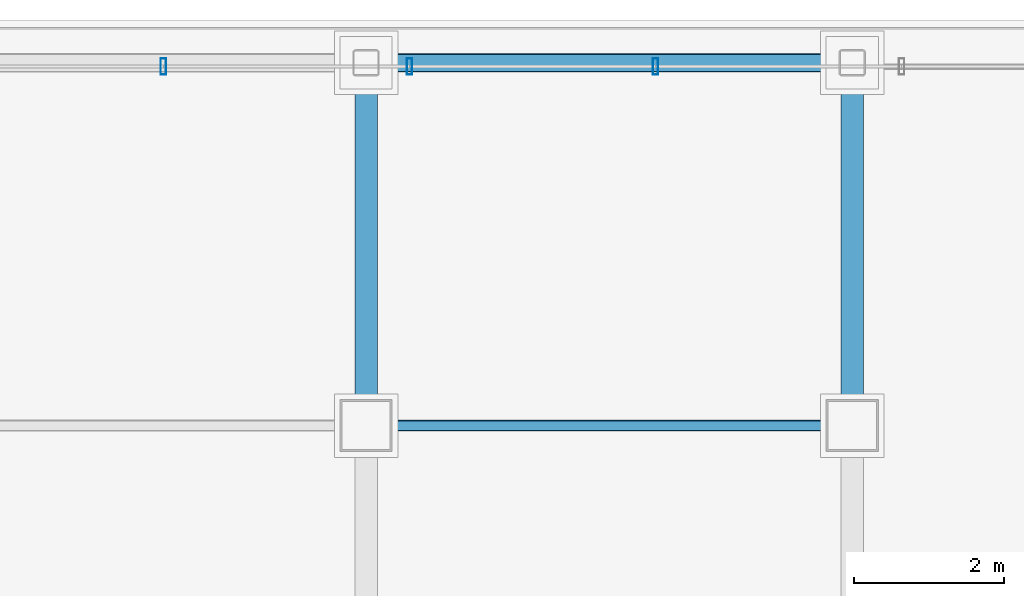
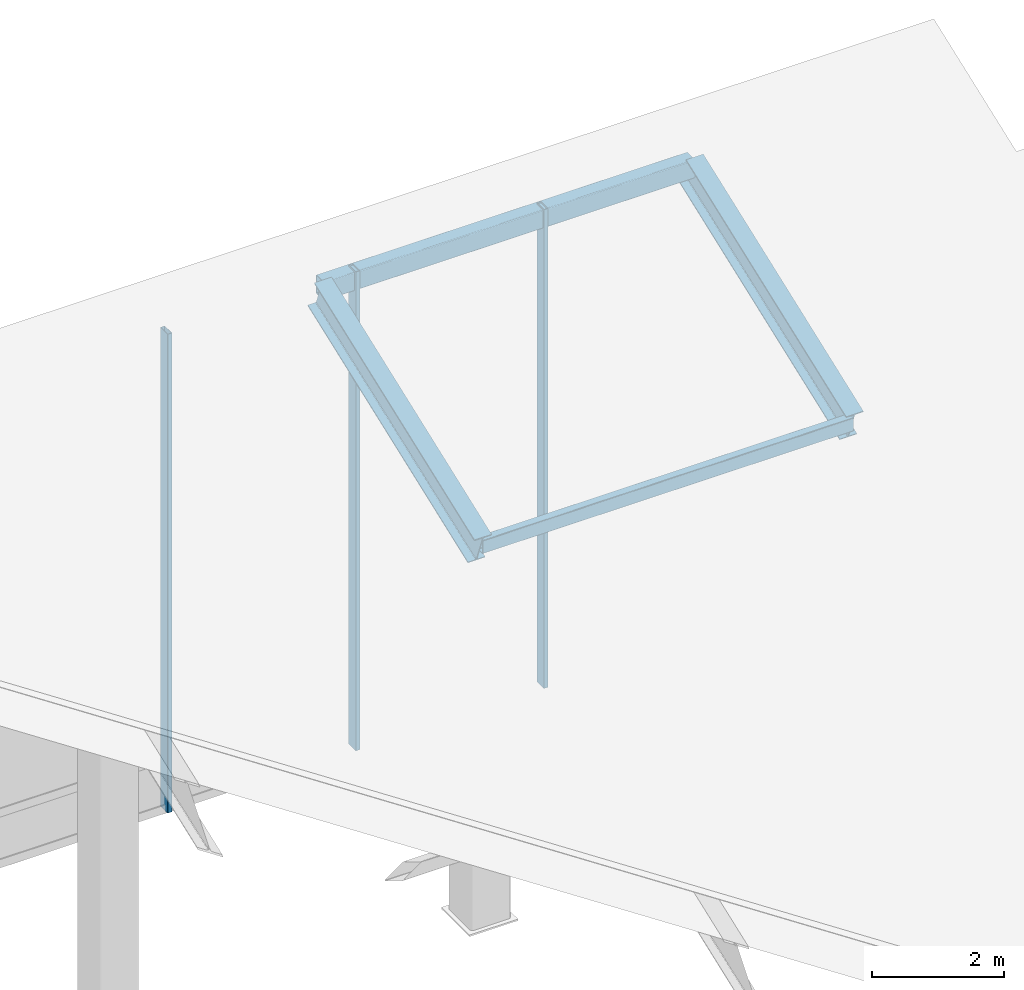
# One storey, part 9 of 12: 5 members, 2 beams, 1 element without a shape of its own.
"""IFC4 building model written with IfcOpenShell, lengths in metres."""

import ifcopenshell
import ifcopenshell.guid

model = None  # the IFC model being written
_history = None  # IfcOwnerHistory: only IFC2X3 demands one
_inside = {}  # id of a spatial element -> (the spatial element, [elements in it])
_under = {}  # id of a project, library or spatial element -> (it, [spatial elements below it])
_declared = {}  # id of a project -> (the project, [libraries it declares])
_typed = {}  # id of a type object -> (the type object, [elements of that type])
_made_of = {}  # id of a material, layer set ... -> (it, [elements and type objects made of it])


def new_model(schema):
    """Start an empty IFC model of exactly this schema.

    Asked for "IFC4X3", IfcOpenShell would pick the latest addendum, in which some entities
    have other attributes; the version numbers below select the first issue.
    IFC2X3 requires an IfcOwnerHistory on every rooted entity: one is made here for all.
    """
    global model, _history
    if schema == "IFC4X3":
        model = ifcopenshell.file(schema_version=(4, 3, 0, 0))
    else:
        model = ifcopenshell.file(schema=schema)
    _inside.clear()
    _under.clear()
    _declared.clear()
    _typed.clear()
    _made_of.clear()
    _history = None
    if model.schema == "IFC2X3":
        org = make("IfcOrganization", Name="unknown")
        user = make(
            "IfcPersonAndOrganization",
            ThePerson=make("IfcPerson", FamilyName="unknown"),
            TheOrganization=org,
        )
        app = make(
            "IfcApplication",
            ApplicationDeveloper=org,
            Version="unknown",
            ApplicationFullName="unknown",
            ApplicationIdentifier="unknown",
        )
        _history = make(
            "IfcOwnerHistory",
            OwningUser=user,
            OwningApplication=app,
            ChangeAction="ADDED",
            CreationDate=0,
        )
    return model


def make(cls, **values):
    """One entity of the class cls with the attributes given. An attribute that is None is left unset."""
    return model.create_entity(
        cls, **{name: value for name, value in values.items() if value is not None}
    )


def rooted(cls, **values):
    """An entity with a GlobalId (a new one), such as an element, a storey or a relation."""
    return make(cls, GlobalId=ifcopenshell.guid.new(), OwnerHistory=_history, **values)


def si_unit(unit_type, name, prefix=None):
    """IfcSIUnit, for example si_unit("LENGTHUNIT", "METRE", prefix="MILLI")."""
    return make("IfcSIUnit", UnitType=unit_type, Prefix=prefix, Name=name)


def assignment(units):
    """IfcUnitAssignment: the units of a project."""
    return None if units is None else make("IfcUnitAssignment", Units=units)


def point(xyz):
    """IfcCartesianPoint."""
    return None if xyz is None else make("IfcCartesianPoint", Coordinates=xyz)


def direction(xyz):
    """IfcDirection."""
    return None if xyz is None else make("IfcDirection", DirectionRatios=xyz)


def frame(location, z_axis=None, x_axis=None):
    """IfcAxis2Placement3D, a coordinate frame: its origin and axes. An axis left out is left unset."""
    return make(
        "IfcAxis2Placement3D",
        Location=point(location),
        Axis=direction(z_axis),
        RefDirection=direction(x_axis),
    )


def frame_2d(location, x_axis=None):
    """IfcAxis2Placement2D, a coordinate frame in the plane: its origin and x axis."""
    return make(
        "IfcAxis2Placement2D", Location=point(location), RefDirection=direction(x_axis)
    )


def origin():
    """The frame at (0, 0, 0) with its axes left unset."""
    return frame((0.0, 0.0, 0.0))


def origin_2d():
    """The frame at (0, 0) in the plane with its x axis left unset."""
    return frame_2d((0.0, 0.0))


def place(relative_to, where):
    """IfcLocalPlacement: puts the frame where relative to a parent placement (None: the world)."""
    return make(
        "IfcLocalPlacement", PlacementRelTo=relative_to, RelativePlacement=where
    )


def context(
    kind, dimensions, precision=None, world=None, true_north=None, identifier=None
):
    """IfcGeometricRepresentationContext, for example the 3D "Model" context."""
    return make(
        "IfcGeometricRepresentationContext",
        ContextIdentifier=identifier,
        ContextType=kind,
        CoordinateSpaceDimension=dimensions,
        Precision=precision,
        WorldCoordinateSystem=world,
        TrueNorth=true_north,
    )


def subcontext(parent, identifier, kind, view, scale=None):
    """IfcGeometricRepresentationSubContext, for example "Body" below "Model"."""
    return make(
        "IfcGeometricRepresentationSubContext",
        ContextIdentifier=identifier,
        ContextType=kind,
        ParentContext=parent,
        TargetScale=scale,
        TargetView=view,
    )


def project(units=None, contexts=None):
    """IfcProject with its units and contexts."""
    return rooted(
        "IfcProject",
        Name="project",
        RepresentationContexts=contexts,
        UnitsInContext=assignment(units),
    )


def spatial(cls, under=None, at=None, **own):
    """A site, building, storey or space (cls), placed at a placement, below another one or the project."""
    s = rooted(cls, ObjectPlacement=at, **own)
    if under is not None:
        _under.setdefault(under.id(), (under, []))[1].append(s)
    return s


def profile(cls, at=None, kind="AREA", **sizes):
    """A parametric profile (cls). Its sizes go by their IFC names, for example OverallWidth=200.0."""
    return make(cls, ProfileType=kind, Position=at, **sizes)


def hollow_rectangle(**sizes):
    """IfcRectangleHollowProfileDef."""
    return profile("IfcRectangleHollowProfileDef", **sizes)


def i_section(**sizes):
    """IfcIShapeProfileDef."""
    return profile("IfcIShapeProfileDef", **sizes)


def extrude(swept, where, along, depth):
    """IfcExtrudedAreaSolid: the profile swept, set in the frame where, extruded along a direction by depth."""
    return make(
        "IfcExtrudedAreaSolid",
        SweptArea=swept,
        Position=where,
        ExtrudedDirection=direction(along),
        Depth=depth,
    )


def shape(context_of_items, identifier, shape_type, items):
    """IfcShapeRepresentation: the items that make up one representation, for example the "Body"."""
    return make(
        "IfcShapeRepresentation",
        ContextOfItems=context_of_items,
        RepresentationIdentifier=identifier,
        RepresentationType=shape_type,
        Items=items,
    )


def material(Name=None, Category=None):
    """IfcMaterial."""
    return make("IfcMaterial", Name=Name, Category=Category)


def material_profile(
    of_material, cross_section, Name=None, Category=None, Priority=None
):
    """IfcMaterialProfile: a cross section and its material."""
    return make(
        "IfcMaterialProfile",
        Name=Name,
        Material=of_material,
        Profile=cross_section,
        Priority=Priority,
        Category=Category,
    )


def profile_set(profiles, Name=None, composite=None):
    """IfcMaterialProfileSet."""
    return make(
        "IfcMaterialProfileSet",
        Name=Name,
        MaterialProfiles=profiles,
        CompositeProfile=composite,
    )


def made_of(thing, what):
    """Note that an element or type object is made of a material, layer set ...; save() writes the relation."""
    if what is not None:
        _made_of.setdefault(what.id(), (what, []))[1].append(thing)
    return thing


def type_object(cls, material=None, **own):
    """A type object (cls), such as IfcWallType, which elements share."""
    return made_of(rooted(cls, **own), material)


def element(
    cls,
    number,
    at=None,
    inside=None,
    cuts=None,
    type_object=None,
    material=None,
    context=None,
    identifier="Body",
    shape_type=None,
    held_by="IfcProductDefinitionShape",
    body=None,
    shapes=None,
    **own,
):
    """One element of the class cls, such as IfcWall. Its Tag is "e" and its number.

    at: its placement. inside: the storey or other place that contains it. cuts: it is an
    opening in that element (IfcRelVoidsElement). A single representation is given by context,
    identifier, shape_type and body (its items); several are given by shapes. held_by: the class
    of the entity that holds the representations. save() writes the other relations.
    """
    e = rooted(cls, Tag="e%d" % number, ObjectPlacement=at, **own)
    if body is not None:
        shapes = [shape(context, identifier, shape_type, body)]
    if shapes is not None:
        e.Representation = make(held_by, Representations=shapes)
    if inside is not None:
        _inside.setdefault(inside.id(), (inside, []))[1].append(e)
    if cuts is not None:
        rooted(
            "IfcRelVoidsElement", RelatingBuildingElement=cuts, RelatedOpeningElement=e
        )
    if type_object is not None:
        _typed.setdefault(type_object.id(), (type_object, []))[1].append(e)
    return made_of(e, material)


def aggregate(whole, parts):
    """IfcRelAggregates: a whole, such as a stair, and the parts it consists of."""
    return rooted("IfcRelAggregates", RelatingObject=whole, RelatedObjects=parts)


def save(model, path):
    """Write the relations noted so far, then the file.

    IfcRelAggregates (storeys below a building ...), IfcRelContainedInSpatialStructure (elements
    in a storey), IfcRelDefinesByType, IfcRelAssociatesMaterial and IfcRelDeclares: one each for
    every whole, place, type object, material and project.
    """
    for whole, parts in _under.values():
        aggregate(whole, parts)
    for where, things in _inside.values():
        rooted(
            "IfcRelContainedInSpatialStructure",
            RelatedElements=things,
            RelatingStructure=where,
        )
    for kind, things in _typed.values():
        rooted("IfcRelDefinesByType", RelatedObjects=things, RelatingType=kind)
    for what, things in _made_of.values():
        rooted("IfcRelAssociatesMaterial", RelatedObjects=things, RelatingMaterial=what)
    for by, libraries in _declared.values():
        rooted("IfcRelDeclares", RelatingContext=by, RelatedDefinitions=libraries)
    model.write(path)


model = new_model("IFC4")

# Units and contexts
model_context = context("Model", 3, precision=1e-05, world=origin(), true_north=direction((0.0, 1.0)))
body_context = subcontext(model_context, "Body", "Model", "MODEL_VIEW")
ifc_project = project(units=[si_unit("LENGTHUNIT", "METRE"), si_unit("AREAUNIT", "SQUARE_METRE"), si_unit("VOLUMEUNIT", "CUBIC_METRE"), si_unit("PLANEANGLEUNIT", "RADIAN"), si_unit("MASSUNIT", "GRAM", prefix="KILO")], contexts=[model_context])

# Site, building, storey
site_placement = place(None, origin())
site = spatial("IfcSite", under=ifc_project, at=site_placement, CompositionType="ELEMENT")
building_placement = place(site_placement, origin())
building = spatial("IfcBuilding", under=site, at=building_placement, Name="Noeulbin Bourse Tower", CompositionType="ELEMENT")
storey_placement = place(building_placement, frame((0.0, 0.0, 317.39990234375)))
storey = spatial("IfcBuildingStorey", under=building, at=storey_placement, Name="RF", CompositionType="ELEMENT", Elevation=317.39990234375)

# Beams
ifc_material_1 = material(Name="Steel S355", Category="steel")
ifc_material_profile_1 = material_profile(ifc_material_1, i_section(OverallWidth=0.300048828125, OverallDepth=0.587890625, WebThickness=0.011962890625, FlangeThickness=0.02001953125, FilletRadius=0.02392578125, at=origin_2d()), Name="H-588x300x12x20", Category="LoadBearing")
ifc_profile_set_1 = profile_set([ifc_material_profile_1], Name="Steel S355")
beam_type = type_object("IfcBeamType", Name="BM-GRD-588", PredefinedType="USERDEFINED", material=ifc_profile_set_1)
for number, where, z_axis, x_axis, name in (
    (1, (37.5, 38.300048828125, 6.7529296875), (0.0, 0.936675578979, 0.350198314879), (-1.0, 0.0, 0.0), "Sloped Crown Rafter G-588-03.3"),
    (2, (44.0, 38.300048828125, 6.7529296875), (0.0, 0.936675578979, 0.350198314879), (-1.0, 0.0, 0.0), "Sloped Crown Rafter G-588-04.3"),
):
    element("IfcBeam", number, at=place(storey_placement, frame(where, z_axis=z_axis, x_axis=x_axis)), inside=storey, type_object=beam_type, Name=name, ObjectType="GIRDER", PredefinedType="USERDEFINED", context=body_context, shape_type="SweptSolid", body=[
        extrude(i_section(OverallWidth=0.300048828125, OverallDepth=0.587890625, WebThickness=0.011962890625, FlangeThickness=0.02001953125, FilletRadius=0.02392578125, at=origin_2d()), origin(), (0.0, 0.0, 1.0), 5.177734375),
    ])

# Curtain wall, members
ifc_material_2 = material(Name="Translucent Ceramic-Fritted Glass", Category="glass")
curtain_wall_type = type_object("IfcCurtainWallType", Name="CW-SYS-5", PredefinedType="NOTDEFINED", material=ifc_material_2)
curtain_wall_placement = place(storey_placement, origin())
curtain_wall = element("IfcCurtainWall", 3, at=curtain_wall_placement, inside=storey, type_object=curtain_wall_type, Name="Unitised Curtain Wall CW-RF-CRN-N", PredefinedType="NOTDEFINED")
ifc_material_3 = material(Name="Anodised Aluminium 6063-T6", Category="aluminium")
ifc_material_profile_2 = material_profile(ifc_material_3, hollow_rectangle(XDim=0.074951171875, YDim=0.219970703125, WallThickness=0.0048828125, InnerFilletRadius=0.00244140625, OuterFilletRadius=0.0048828125, at=origin_2d()), Name="ALU-MULL-75x220x5", Category="LoadBearing")
ifc_profile_set_2 = profile_set([ifc_material_profile_2], Name="Anodised Aluminium 6063-T6")
member_type_1 = type_object("IfcMemberType", Name="CW-SYS-5-MUL", PredefinedType="MULLION", material=ifc_profile_set_2)
member_1_placement = place(storey_placement, frame((34.7900390625, 43.10009765625, -0.02001953125), z_axis=(0.0, 0.0, 1.0), x_axis=(1.0, 0.0, 0.0)))
member_1 = element("IfcMember", 4, at=member_1_placement, type_object=member_type_1, Name="Curtain Wall Mullion CW-RF-CRN-N-M06", PredefinedType="MULLION", context=body_context, shape_type="SweptSolid", body=[
    extrude(hollow_rectangle(XDim=0.074951171875, YDim=0.219970703125, WallThickness=0.0048828125, InnerFilletRadius=0.00244140625, OuterFilletRadius=0.0048828125, at=origin_2d()), origin(), (0.0, 0.0, 1.0), 8.851318359375),
])
member_2_placement = place(storey_placement, frame((38.080078125, 43.10009765625, -0.02001953125), z_axis=(0.0, 0.0, 1.0), x_axis=(1.0, 0.0, 0.0)))
member_2 = element("IfcMember", 5, at=member_2_placement, type_object=member_type_1, Name="Curtain Wall Mullion CW-RF-CRN-N-M07", PredefinedType="MULLION", context=body_context, shape_type="SweptSolid", body=[
    extrude(hollow_rectangle(XDim=0.074951171875, YDim=0.219970703125, WallThickness=0.0048828125, InnerFilletRadius=0.00244140625, OuterFilletRadius=0.0048828125, at=origin_2d()), origin(), (0.0, 0.0, 1.0), 8.851318359375),
])
member_3_placement = place(storey_placement, frame((41.3701171875, 43.10009765625, -0.02001953125), z_axis=(0.0, 0.0, 1.0), x_axis=(1.0, 0.0, 0.0)))
member_3 = element("IfcMember", 6, at=member_3_placement, type_object=member_type_1, Name="Curtain Wall Mullion CW-RF-CRN-N-M08", PredefinedType="MULLION", context=body_context, shape_type="SweptSolid", body=[
    extrude(hollow_rectangle(XDim=0.074951171875, YDim=0.219970703125, WallThickness=0.0048828125, InnerFilletRadius=0.00244140625, OuterFilletRadius=0.0048828125, at=origin_2d()), origin(), (0.0, 0.0, 1.0), 8.851318359375),
])
aggregate(curtain_wall, [member_1, member_2, member_3])

# Members
ifc_material_profile_3 = material_profile(ifc_material_1, hollow_rectangle(XDim=0.14990234375, YDim=0.25, WallThickness=0.010009765625, InnerFilletRadius=0.010009765625, OuterFilletRadius=0.02001953125, at=origin_2d()), Name="RHS-250x150x10", Category="LoadBearing")
ifc_profile_set_3 = profile_set([ifc_material_profile_3], Name="Steel S355")
member_type_2 = type_object("IfcMemberType", Name="MEM-PRL-250", PredefinedType="PURLIN", material=ifc_profile_set_3)
member_4_placement = place(storey_placement, frame((37.510009765625, 38.300048828125, 6.816650390625), z_axis=(1.0, 0.0, 0.0), x_axis=(0.0, 1.0, 0.0)))
element("IfcMember", 7, at=member_4_placement, inside=storey, type_object=member_type_2, Name="Crown Roof Purlin 5.3", PredefinedType="PURLIN", context=body_context, shape_type="SweptSolid", body=[
    extrude(hollow_rectangle(XDim=0.14990234375, YDim=0.25, WallThickness=0.010009765625, InnerFilletRadius=0.010009765625, OuterFilletRadius=0.02001953125, at=origin_2d()), origin(), (0.0, 0.0, 1.0), 6.47998046875),
])
ifc_material_profile_4 = material_profile(ifc_material_1, hollow_rectangle(XDim=0.25, YDim=0.35009765625, WallThickness=0.013916015625, InnerFilletRadius=0.013916015625, OuterFilletRadius=0.028076171875, at=origin_2d()), Name="RHS-350x250x14", Category="LoadBearing")
ifc_profile_set_4 = profile_set([ifc_material_profile_4], Name="Steel S355")
member_type_3 = type_object("IfcMemberType", Name="MEM-PRL-350", PredefinedType="PURLIN", material=ifc_profile_set_4)
member_5_placement = place(storey_placement, frame((37.510009765625, 43.14990234375, 8.630126953125), z_axis=(1.0, 0.0, 0.0), x_axis=(0.0, 1.0, 0.0)))
element("IfcMember", 8, at=member_5_placement, inside=storey, type_object=member_type_3, Name="Crown Roof Purlin 6.3", PredefinedType="PURLIN", context=body_context, shape_type="SweptSolid", body=[
    extrude(hollow_rectangle(XDim=0.25, YDim=0.35009765625, WallThickness=0.013916015625, InnerFilletRadius=0.013916015625, OuterFilletRadius=0.028076171875, at=origin_2d()), origin(), (0.0, 0.0, 1.0), 6.47998046875),
])

save(model, "model.ifc")
